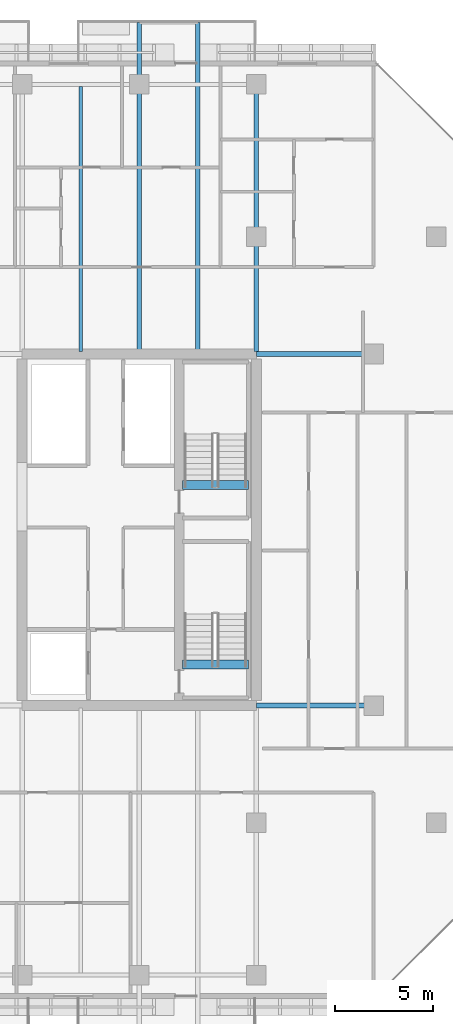
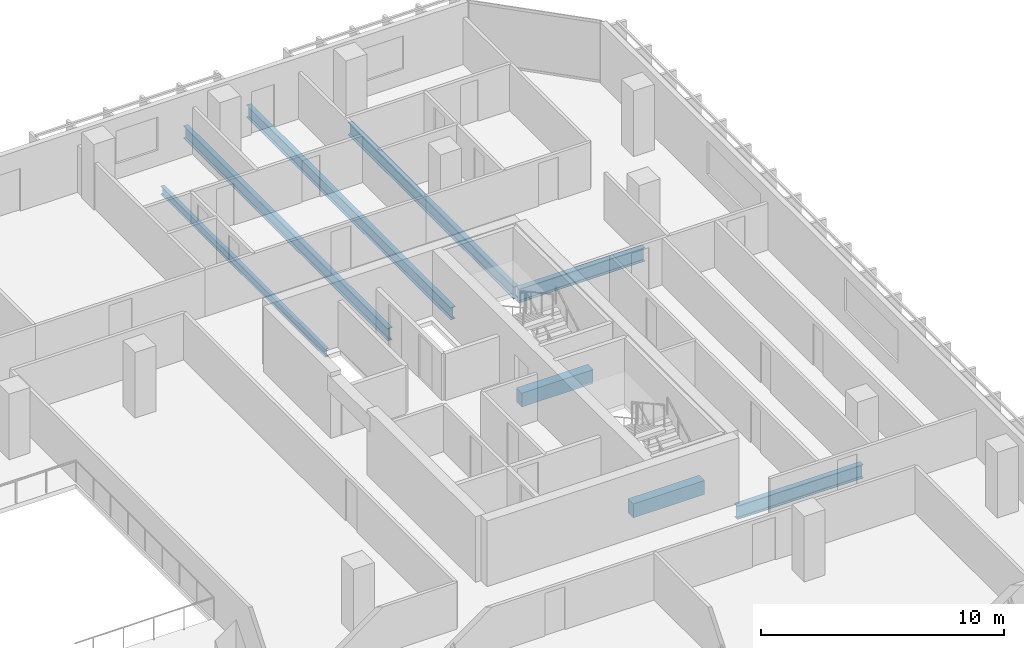
# One storey, part 18 of 35: 8 beams.
"""IFC4 building model written with IfcOpenShell, lengths in metres."""

from ifc_helpers import new_model, si_unit, direction, frame, origin, origin_2d, place, context, subcontext, project, spatial, rectangle, i_section, extrude, material, material_profile, profile_set, type_object, element, save


model = new_model("IFC4")

# Units and contexts
model_context = context("Model", 3, precision=1e-05, world=origin(), true_north=direction((0.0, 1.0)))
body_context = subcontext(model_context, "Body", "Model", "MODEL_VIEW")
ifc_project = project(units=[si_unit("LENGTHUNIT", "METRE"), si_unit("AREAUNIT", "SQUARE_METRE"), si_unit("VOLUMEUNIT", "CUBIC_METRE"), si_unit("PLANEANGLEUNIT", "RADIAN"), si_unit("MASSUNIT", "GRAM", prefix="KILO")], contexts=[model_context])

# Site, building, storey
site_placement = place(None, origin())
site = spatial("IfcSite", under=ifc_project, at=site_placement, CompositionType="ELEMENT")
building_placement = place(site_placement, origin())
building = spatial("IfcBuilding", under=site, at=building_placement, Name="Tanjung Sevakor Pilgrim Tower", CompositionType="ELEMENT")
storey_placement = place(building_placement, frame((0.0, 0.0, 92.070068359375)))
storey = spatial("IfcBuildingStorey", under=building, at=storey_placement, Name="L25", CompositionType="ELEMENT", Elevation=92.070068359375)

# Beams
ifc_material_1 = material(Name="Steel S355J2", Category="steel")
ifc_material_profile_1 = material_profile(ifc_material_1, i_section(OverallWidth=0.25439453125, OverallDepth=0.6875, WebThickness=0.01318359375, FlangeThickness=0.02099609375, FilletRadius=0.01513671875, at=origin_2d()))
ifc_profile_set_1 = profile_set([ifc_material_profile_1], Name="Steel S355J2")
beam_type_1 = type_object("IfcBeamType", Name="BM-B-G2-UB_686x254x152", PredefinedType="BEAM", material=ifc_profile_set_1)
for number, where, z_axis, x_axis, name in (
    (1, (90.0, 24.60009765625, -0.56396484375), (1.0, 0.0, 0.0), (0.0, 1.0, 0.0), "L25 Primary Floor Girder MAIN Y246-09"),
    (2, (90.0, 42.60009765625, -0.56396484375), (1.0, 0.0, 0.0), (0.0, 1.0, 0.0), "L25 Primary Floor Girder MAIN Y426-09"),
):
    element("IfcBeam", number, at=place(storey_placement, frame(where, z_axis=z_axis, x_axis=x_axis)), inside=storey, type_object=beam_type_1, Name=name, PredefinedType="BEAM", context=body_context, shape_type="SweptSolid", body=[
        extrude(i_section(OverallWidth=0.25439453125, OverallDepth=0.6875, WebThickness=0.01318359375, FlangeThickness=0.02099609375, FilletRadius=0.01513671875, at=origin_2d()), origin(), (0.0, 0.0, 1.0), 6.0),
    ])
ifc_material_2 = material(Name="Steel S355J2", Category="steel")
ifc_material_profile_2 = material_profile(ifc_material_2, i_section(OverallWidth=0.230224609375, OverallDepth=0.6171875, WebThickness=0.01318359375, FlangeThickness=0.022216796875, FilletRadius=0.0126953125, at=origin_2d()))
ifc_profile_set_2 = profile_set([ifc_material_profile_2], Name="Steel S355J2")
beam_type_2 = type_object("IfcBeamType", Name="BM-B-G3-UB_610x229x140", PredefinedType="BEAM", material=ifc_profile_set_2)
beam_1_placement = place(storey_placement, frame((84.0, 42.727294921875, -0.528564453125), z_axis=(0.0, 1.0, 0.0), x_axis=(-1.0, 0.0, 0.0)))
element("IfcBeam", 3, at=beam_1_placement, inside=storey, type_object=beam_type_2, Name="L25 Balcony Cantilever Beam MAIN-N4-1", PredefinedType="BEAM", context=body_context, shape_type="SweptSolid", body=[
    extrude(i_section(OverallWidth=0.230224609375, OverallDepth=0.6171875, WebThickness=0.01318359375, FlangeThickness=0.022216796875, FilletRadius=0.0126953125, at=origin_2d()), origin(), (0.0, 0.0, 1.0), 16.852783203125),
])
beam_2_placement = place(storey_placement, frame((90.0, 42.727294921875, -0.528564453125), z_axis=(0.0, 1.0, 0.0), x_axis=(-1.0, 0.0, 0.0)))
element("IfcBeam", 4, at=beam_2_placement, inside=storey, type_object=beam_type_2, Name="L25 MAIN Girder 026", PredefinedType="BEAM", context=body_context, shape_type="SweptSolid", body=[
    extrude(i_section(OverallWidth=0.230224609375, OverallDepth=0.6171875, WebThickness=0.01318359375, FlangeThickness=0.022216796875, FilletRadius=0.0126953125, at=origin_2d()), origin(), (0.0, 0.0, 1.0), 13.672607421875),
])
ifc_material_3 = material(Name="Steel S355J2", Category="steel")
ifc_material_profile_3 = material_profile(ifc_material_3, i_section(OverallWidth=0.22900390625, OverallDepth=0.6123046875, WebThickness=0.011962890625, FlangeThickness=0.01953125, FilletRadius=0.0126953125, at=origin_2d()))
ifc_profile_set_3 = profile_set([ifc_material_profile_3], Name="Steel S355J2")
beam_type_3 = type_object("IfcBeamType", Name="BM-B-G4-UB_610x229x125", PredefinedType="BEAM", material=ifc_profile_set_3)
beam_3_placement = place(storey_placement, frame((87.0, 42.727294921875, -0.526123046875), z_axis=(0.0, 1.0, 0.0), x_axis=(-1.0, 0.0, 0.0)))
element("IfcBeam", 5, at=beam_3_placement, inside=storey, type_object=beam_type_3, Name="L25 Balcony Cantilever Beam MAIN-N4-2", PredefinedType="BEAM", context=body_context, shape_type="SweptSolid", body=[
    extrude(i_section(OverallWidth=0.22900390625, OverallDepth=0.6123046875, WebThickness=0.011962890625, FlangeThickness=0.01953125, FilletRadius=0.0126953125, at=origin_2d()), origin(), (0.0, 0.0, 1.0), 16.852783203125),
])
ifc_material_4 = material(Name="Steel S355J2", Category="steel")
ifc_material_profile_4 = material_profile(ifc_material_4, i_section(OverallWidth=0.1787109375, OverallDepth=0.409423828125, WebThickness=0.0087890625, FlangeThickness=0.014404296875, FilletRadius=0.01025390625, at=origin_2d()))
ifc_profile_set_4 = profile_set([ifc_material_profile_4], Name="Steel S355J2")
beam_type_4 = type_object("IfcBeamType", Name="BM-B-J3-UB_406x178x67", PredefinedType="JOIST", material=ifc_profile_set_4)
beam_4_placement = place(storey_placement, frame((81.0, 42.727294921875, -0.4248046875), z_axis=(0.0, 1.0, 0.0), x_axis=(-1.0, 0.0, 0.0)))
element("IfcBeam", 6, at=beam_4_placement, inside=storey, type_object=beam_type_4, Name="L25 MAIN Joist 024", PredefinedType="JOIST", context=body_context, shape_type="SweptSolid", body=[
    extrude(i_section(OverallWidth=0.1787109375, OverallDepth=0.409423828125, WebThickness=0.0087890625, FlangeThickness=0.014404296875, FilletRadius=0.01025390625, at=origin_2d()), origin(), (0.0, 0.0, 1.0), 13.57275390625),
])
ifc_material_5 = material(Name="Concrete C60/75", Category="concrete")
ifc_material_profile_5 = material_profile(ifc_material_5, rectangle(XDim=0.449951171875, YDim=0.699951171875, at=origin_2d()))
ifc_profile_set_5 = profile_set([ifc_material_profile_5], Name="Concrete C60/75")
beam_type_5 = type_object("IfcBeamType", Name="BM-B-LN3-RC-BM_450x700", PredefinedType="LINTEL", material=ifc_profile_set_5)
for number, where, z_axis, x_axis, name in (
    (7, (86.199951171875, 26.699951171875, -0.35009765625), (1.0, 0.0, 0.0), (0.0, 1.0, 0.0), "L25 TS-E1 Stair Threshold Beam"),
    (8, (86.199951171875, 35.89990234375, -0.35009765625), (1.0, 0.0, 0.0), (0.0, 1.0, 0.0), "L25 TS-E2 Stair Threshold Beam"),
):
    element("IfcBeam", number, at=place(storey_placement, frame(where, z_axis=z_axis, x_axis=x_axis)), inside=storey, type_object=beam_type_5, Name=name, PredefinedType="LINTEL", context=body_context, shape_type="SweptSolid", body=[
        extrude(rectangle(XDim=0.449951171875, YDim=0.699951171875, at=origin_2d()), origin(), (0.0, 0.0, 1.0), 3.400146484375),
    ])

save(model, "model.ifc")
